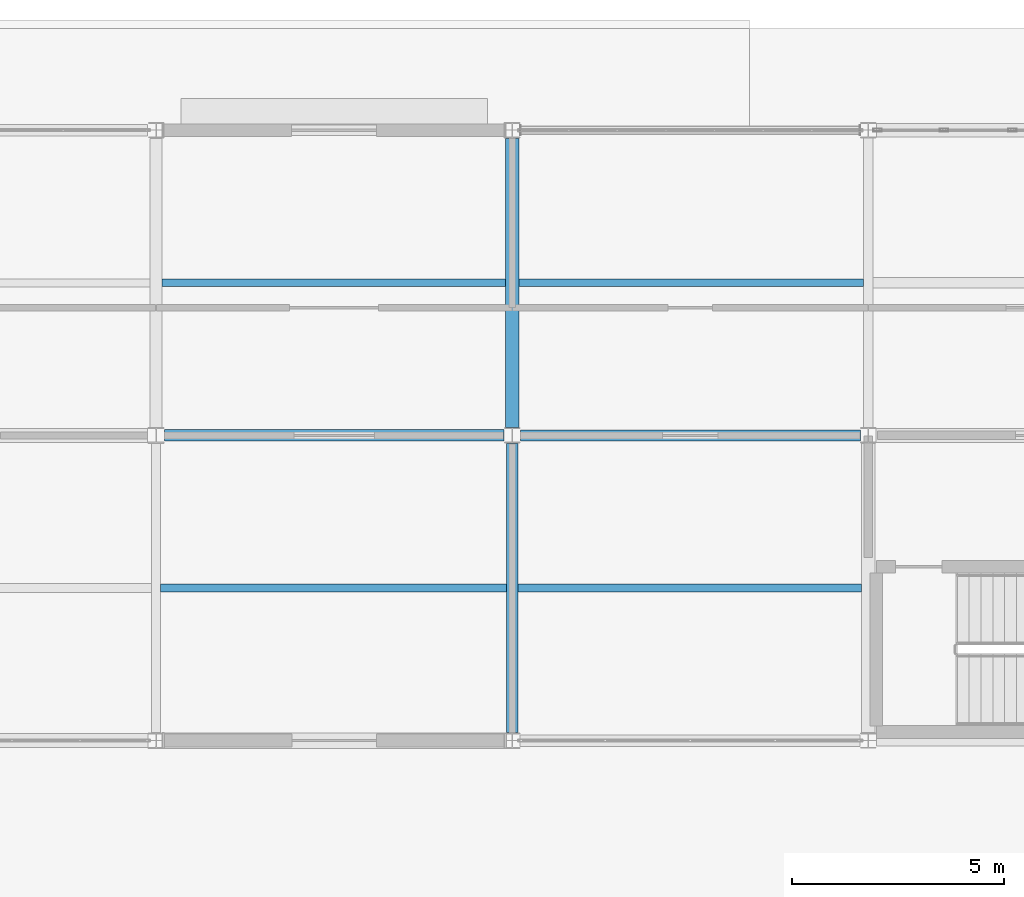
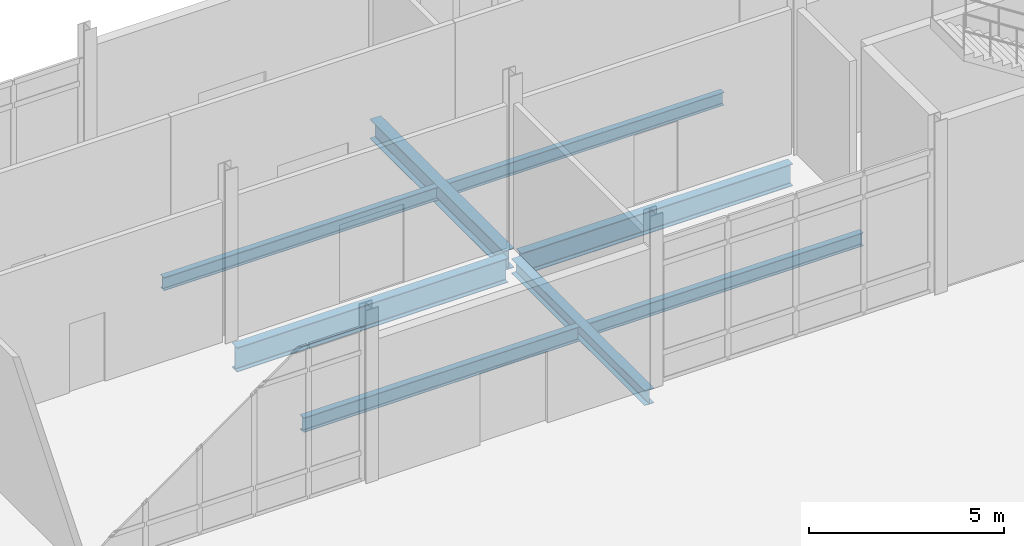
# One storey, part 92 of 229: 8 beams.
"""IFC4 building model written with IfcOpenShell, lengths in metres."""

from ifc_helpers import new_model, si_unit, direction, frame, origin, origin_2d, place, context, subcontext, project, spatial, i_section, extrude, material, material_profile, profile_set, type_object, element, save


model = new_model("IFC4")

# Units and contexts
model_context = context("Model", 3, precision=1e-05, world=origin(), true_north=direction((0.0, 1.0)))
body_context = subcontext(model_context, "Body", "Model", "MODEL_VIEW")
ifc_project = project(units=[si_unit("LENGTHUNIT", "METRE"), si_unit("AREAUNIT", "SQUARE_METRE"), si_unit("VOLUMEUNIT", "CUBIC_METRE"), si_unit("PLANEANGLEUNIT", "RADIAN"), si_unit("MASSUNIT", "GRAM", prefix="KILO")], contexts=[model_context])

# Site, building, storey
site_placement = place(None, origin())
site = spatial("IfcSite", under=ifc_project, at=site_placement, CompositionType="ELEMENT")
building_placement = place(site_placement, origin())
building = spatial("IfcBuilding", under=site, at=building_placement, Name="Calvrana Isthmian Art Gallery", CompositionType="ELEMENT")
storey_placement = place(building_placement, origin())
storey = spatial("IfcBuildingStorey", under=building, at=storey_placement, Name="L00", CompositionType="ELEMENT", Elevation=0.0)

# Beams
ifc_material = material(Name="Steel ASTM A992 Gr 50", Category="steel")
ifc_material_profile_1 = material_profile(ifc_material, i_section(OverallWidth=0.279052734375, OverallDepth=0.4619140625, WebThickness=0.0107421875, FlangeThickness=0.017333984375, FilletRadius=0.02001953125, at=origin_2d()), Name="W18X76")
ifc_profile_set_1 = profile_set([ifc_material_profile_1], Name="Steel ASTM A992 Gr 50")
beam_type_1 = type_object("IfcBeamType", Name="BM-G-W18X76", PredefinedType="BEAM", material=ifc_profile_set_1)
beam_1_placement = place(storey_placement, frame((38.39990234375, 98.58642578125, -0.51611328125), z_axis=(0.0, 1.0, 0.0), x_axis=(-1.0, 0.0, 0.0)))
element("IfcBeam", 1, at=beam_1_placement, inside=storey, type_object=beam_type_1, Name="Girder Y L00 06/N-O", PredefinedType="BEAM", context=body_context, shape_type="SweptSolid", body=[
    extrude(i_section(OverallWidth=0.279052734375, OverallDepth=0.4619140625, WebThickness=0.0107421875, FlangeThickness=0.017333984375, FilletRadius=0.02001953125, at=origin_2d()), origin(), (0.0, 0.0, 1.0), 6.82568359375),
])
ifc_material_profile_2 = material_profile(ifc_material, i_section(OverallWidth=0.324951171875, OverallDepth=0.612060546875, WebThickness=0.0126953125, FlangeThickness=0.01904296875, FilletRadius=0.02197265625, at=origin_2d()), Name="W24X104")
ifc_profile_set_2 = profile_set([ifc_material_profile_2], Name="Steel ASTM A992 Gr 50")
beam_type_2 = type_object("IfcBeamType", Name="BM-G-W24X104", PredefinedType="BEAM", material=ifc_profile_set_2)
beam_2_placement = place(storey_placement, frame((38.39990234375, 105.7880859375, -0.591064453125), z_axis=(0.0, 1.0, 0.0), x_axis=(-1.0, 0.0, 0.0)))
element("IfcBeam", 2, at=beam_2_placement, inside=storey, type_object=beam_type_2, Name="Girder Y L00 06/O-P", PredefinedType="BEAM", context=body_context, shape_type="SweptSolid", body=[
    extrude(i_section(OverallWidth=0.324951171875, OverallDepth=0.612060546875, WebThickness=0.0126953125, FlangeThickness=0.01904296875, FilletRadius=0.02197265625, at=origin_2d()), origin(), (0.0, 0.0, 1.0), 6.821533203125),
])
ifc_material_profile_3 = material_profile(ifc_material, i_section(OverallWidth=0.257080078125, OverallDepth=0.693115234375, WebThickness=0.014404296875, FlangeThickness=0.023681640625, FilletRadius=0.02392578125, at=origin_2d()), Name="W27X114")
ifc_profile_set_3 = profile_set([ifc_material_profile_3], Name="Steel ASTM A992 Gr 50")
beam_type_3 = type_object("IfcBeamType", Name="BM-G-W27X114", PredefinedType="BEAM", material=ifc_profile_set_3)
beam_3_placement = place(storey_placement, frame((38.596923828125, 105.60009765625, -0.631591796875), z_axis=(1.0, 0.0, 0.0), x_axis=(0.0, 1.0, 0.0)))
element("IfcBeam", 3, at=beam_3_placement, inside=storey, type_object=beam_type_3, Name="Girder X L00 06-07/O", PredefinedType="BEAM", context=body_context, shape_type="SweptSolid", body=[
    extrude(i_section(OverallWidth=0.257080078125, OverallDepth=0.693115234375, WebThickness=0.014404296875, FlangeThickness=0.023681640625, FilletRadius=0.02392578125, at=origin_2d()), origin(), (0.0, 0.0, 1.0), 8.0166015625),
])
ifc_material_profile_4 = material_profile(ifc_material, i_section(OverallWidth=0.26708984375, OverallDepth=0.761962890625, WebThickness=0.014404296875, FlangeThickness=0.021484375, FilletRadius=0.02490234375, at=origin_2d()), Name="W30X116")
ifc_profile_set_4 = profile_set([ifc_material_profile_4], Name="Steel ASTM A992 Gr 50")
beam_type_4 = type_object("IfcBeamType", Name="BM-G-W30X116", PredefinedType="BEAM", material=ifc_profile_set_4)
beam_4_placement = place(storey_placement, frame((30.197998046875, 105.60009765625, -0.666015625), z_axis=(1.0, 0.0, 0.0), x_axis=(0.0, 1.0, 0.0)))
element("IfcBeam", 4, at=beam_4_placement, inside=storey, type_object=beam_type_4, Name="Girder X L00 05-06/O", PredefinedType="BEAM", context=body_context, shape_type="SweptSolid", body=[
    extrude(i_section(OverallWidth=0.26708984375, OverallDepth=0.761962890625, WebThickness=0.014404296875, FlangeThickness=0.021484375, FilletRadius=0.02490234375, at=origin_2d()), origin(), (0.0, 0.0, 1.0), 8.0048828125),
])
ifc_material_profile_5 = material_profile(ifc_material, i_section(OverallWidth=0.177978515625, OverallDepth=0.404052734375, WebThickness=0.007568359375, FlangeThickness=0.010986328125, FilletRadius=0.01806640625, at=origin_2d()), Name="W16X36")
ifc_profile_set_5 = profile_set([ifc_material_profile_5], Name="Steel ASTM A992 Gr 50")
beam_type_5 = type_object("IfcBeamType", Name="BM-J-W16X36", PredefinedType="JOIST", material=ifc_profile_set_5)
beam_5_placement = place(storey_placement, frame((38.5625, 109.199951171875, -0.487060546875), z_axis=(1.0, 0.0, 0.0), x_axis=(0.0, 1.0, 0.0)))
element("IfcBeam", 5, at=beam_5_placement, inside=storey, type_object=beam_type_5, Name="Composite joist L00 bay 05-14", PredefinedType="JOIST", context=body_context, shape_type="SweptSolid", body=[
    extrude(i_section(OverallWidth=0.177978515625, OverallDepth=0.404052734375, WebThickness=0.007568359375, FlangeThickness=0.010986328125, FilletRadius=0.01806640625, at=origin_2d()), origin(), (0.0, 0.0, 1.0), 8.12353515625),
])
ifc_material_profile_6 = material_profile(ifc_material, i_section(OverallWidth=0.179931640625, OverallDepth=0.4140625, WebThickness=0.009765625, FlangeThickness=0.01611328125, FilletRadius=0.01806640625, at=origin_2d()), Name="W16X50")
ifc_profile_set_6 = profile_set([ifc_material_profile_6], Name="Steel ASTM A992 Gr 50")
beam_type_6 = type_object("IfcBeamType", Name="BM-J-W16X50", PredefinedType="JOIST", material=ifc_profile_set_6)
beam_6_placement = place(storey_placement, frame((30.139404296875, 109.199951171875, -0.491943359375), z_axis=(1.0, 0.0, 0.0), x_axis=(0.0, 1.0, 0.0)))
element("IfcBeam", 6, at=beam_6_placement, inside=storey, type_object=beam_type_6, Name="Composite joist L00 bay 04-14", PredefinedType="JOIST", context=body_context, shape_type="SweptSolid", body=[
    extrude(i_section(OverallWidth=0.179931640625, OverallDepth=0.4140625, WebThickness=0.009765625, FlangeThickness=0.01611328125, FilletRadius=0.01806640625, at=origin_2d()), origin(), (0.0, 0.0, 1.0), 8.09814453125),
])
beam_7_placement = place(storey_placement, frame((38.53955078125, 102.0, -0.491943359375), z_axis=(1.0, 0.0, 0.0), x_axis=(0.0, 1.0, 0.0)))
element("IfcBeam", 7, at=beam_7_placement, inside=storey, type_object=beam_type_6, Name="Composite joist L00 bay 05-13", PredefinedType="JOIST", context=body_context, shape_type="SweptSolid", body=[
    extrude(i_section(OverallWidth=0.179931640625, OverallDepth=0.4140625, WebThickness=0.009765625, FlangeThickness=0.01611328125, FilletRadius=0.01806640625, at=origin_2d()), origin(), (0.0, 0.0, 1.0), 8.097900390625),
])
ifc_material_profile_7 = material_profile(ifc_material, i_section(OverallWidth=0.19091796875, OverallDepth=0.45703125, WebThickness=0.009033203125, FlangeThickness=0.014404296875, FilletRadius=0.02001953125, at=origin_2d()), Name="W18X50")
ifc_profile_set_7 = profile_set([ifc_material_profile_7], Name="Steel ASTM A992 Gr 50")
beam_type_7 = type_object("IfcBeamType", Name="BM-J-W18X50", PredefinedType="JOIST", material=ifc_profile_set_7)
beam_8_placement = place(storey_placement, frame((30.1044921875, 102.0, -0.513427734375), z_axis=(1.0, 0.0, 0.0), x_axis=(0.0, 1.0, 0.0)))
element("IfcBeam", 8, at=beam_8_placement, inside=storey, type_object=beam_type_7, Name="Composite joist L00 bay 04-13", PredefinedType="JOIST", context=body_context, shape_type="SweptSolid", body=[
    extrude(i_section(OverallWidth=0.19091796875, OverallDepth=0.45703125, WebThickness=0.009033203125, FlangeThickness=0.014404296875, FilletRadius=0.02001953125, at=origin_2d()), origin(), (0.0, 0.0, 1.0), 8.156005859375),
])

save(model, "model.ifc")
